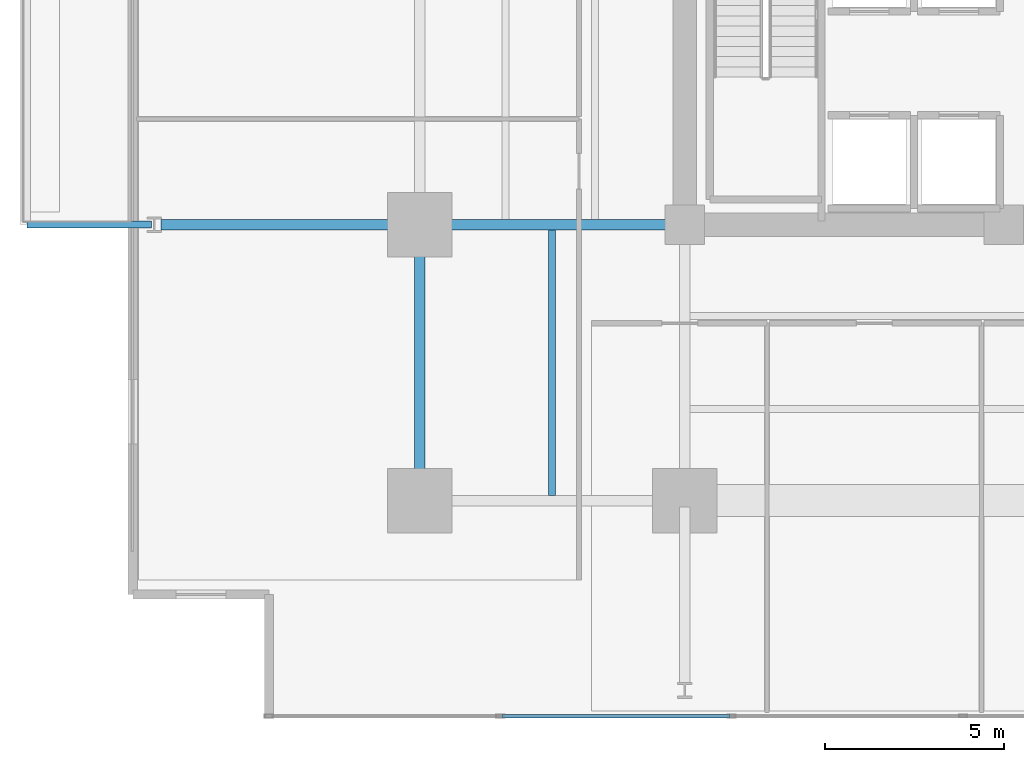
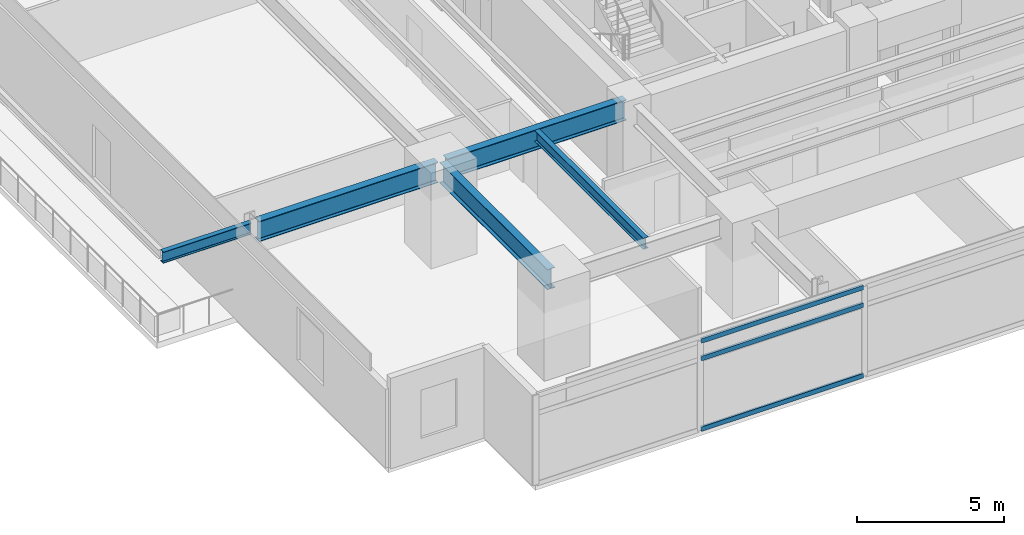
# One storey, part 3 of 22: 5 beams, 3 members, 1 element without a shape of its own.
"""IFC4 building model written with IfcOpenShell, lengths in metres."""

from ifc_helpers import new_model, si_unit, direction, frame, origin, origin_2d, place, context, subcontext, project, spatial, hollow_rectangle, i_section, extrude, material, material_profile, profile_set, type_object, element, aggregate, save


model = new_model("IFC4")

# Units and contexts
model_context = context("Model", 3, precision=1e-05, world=origin(), true_north=direction((0.0, 1.0)))
body_context = subcontext(model_context, "Body", "Model", "MODEL_VIEW")
ifc_project = project(units=[si_unit("LENGTHUNIT", "METRE"), si_unit("AREAUNIT", "SQUARE_METRE"), si_unit("VOLUMEUNIT", "CUBIC_METRE"), si_unit("PLANEANGLEUNIT", "RADIAN"), si_unit("MASSUNIT", "GRAM", prefix="KILO")], contexts=[model_context])

# Site, building, storey
site_placement = place(None, origin())
site = spatial("IfcSite", under=ifc_project, at=site_placement, CompositionType="ELEMENT")
building_placement = place(site_placement, origin())
building = spatial("IfcBuilding", under=site, at=building_placement, Name="Kovane Verandah Tower", CompositionType="ELEMENT")
storey_placement = place(building_placement, frame((0.0, 0.0, 99.60009765625)))
storey = spatial("IfcBuildingStorey", under=building, at=storey_placement, Name="L23", CompositionType="ELEMENT", Elevation=99.60009765625)

# Beams
ifc_material_1 = material(Name="Steel S355", Category="steel")
ifc_material_profile_1 = material_profile(ifc_material_1, i_section(OverallWidth=0.293701171875, OverallDepth=0.850830078125, WebThickness=0.01611328125, FlangeThickness=0.02685546875, FilletRadius=0.017822265625, at=origin_2d()), Name="UB838x292x226")
ifc_profile_set_1 = profile_set([ifc_material_profile_1], Name="Steel S355")
beam_type_1 = type_object("IfcBeamType", Name="BM-UB838x226", PredefinedType="BEAM", material=ifc_profile_set_1)
beam_1_placement = place(storey_placement, frame((21.60009765625, 10.97998046875, 3.33447265625), z_axis=(0.0, 1.0, 0.0), x_axis=(-1.0, 0.0, 0.0)))
element("IfcBeam", 1, at=beam_1_placement, inside=storey, type_object=beam_type_1, Name="L23 Primary Tower Girder G-RW1", PredefinedType="BEAM", context=body_context, shape_type="SweptSolid", body=[
    extrude(i_section(OverallWidth=0.293701171875, OverallDepth=0.850830078125, WebThickness=0.01611328125, FlangeThickness=0.02685546875, FilletRadius=0.017822265625, at=origin_2d()), origin(), (0.0, 0.0, 1.0), 7.340087890625),
])
for number, where, z_axis, x_axis, name in (
    (2, (28.820068359375, 18.5, 3.33447265625), (-1.0, 0.0, 0.0), (0.0, -1.0, 0.0), "L23 Primary Tower Girder G-W1"),
    (3, (21.419921875, 18.5, 3.33447265625), (-1.0, 0.0, 0.0), (0.0, -1.0, 0.0), "L23 Primary Tower Girder G-VW1"),
):
    element("IfcBeam", number, at=place(storey_placement, frame(where, z_axis=z_axis, x_axis=x_axis)), inside=storey, type_object=beam_type_1, Name=name, PredefinedType="BEAM", context=body_context, shape_type="SweptSolid", body=[
        extrude(i_section(OverallWidth=0.293701171875, OverallDepth=0.850830078125, WebThickness=0.01611328125, FlangeThickness=0.02685546875, FilletRadius=0.017822265625, at=origin_2d()), origin(), (0.0, 0.0, 1.0), 7.0400390625),
    ])

# Curtain wall, members
ifc_material_2 = material(Name="Champagne Anodised Aluminium Frame with Low-E Clear Laminated Glass", Category="aluminium")
curtain_wall_type = type_object("IfcCurtainWallType", Name="CW-SYS-02-LOW", PredefinedType="NOTDEFINED", material=ifc_material_2)
curtain_wall_placement = place(storey_placement, origin())
curtain_wall = element("IfcCurtainWall", 4, at=curtain_wall_placement, inside=storey, type_object=curtain_wall_type, Name="L23 S Unitised Curtain Wall", PredefinedType="NOTDEFINED")
ifc_material_3 = material(Name="Champagne Anodised Aluminium 6063-T6", Category="aluminium")
ifc_material_profile_2 = material_profile(ifc_material_3, hollow_rectangle(XDim=0.0849609375, YDim=0.18994140625, WallThickness=0.00390625, at=origin_2d()), Name="AL85x190x4")
ifc_profile_set_2 = profile_set([ifc_material_profile_2], Name="Champagne Anodised Aluminium 6063-T6")
member_type = type_object("IfcMemberType", Name="CW-TRN-85x190", PredefinedType="USERDEFINED", material=ifc_profile_set_2)
member_1_placement = place(storey_placement, frame((23.908203125, 4.781005859375, 0.0498046875), z_axis=(1.0, 0.0, 0.0), x_axis=(0.0, 1.0, 0.0)))
member_1 = element("IfcMember", 5, at=member_1_placement, type_object=member_type, Name="L23 S Unitised Curtain Wall Transom TB Bay 2", ObjectType="TRANSOM", PredefinedType="USERDEFINED", context=body_context, shape_type="SweptSolid", body=[
    extrude(hollow_rectangle(XDim=0.0849609375, YDim=0.18994140625, WallThickness=0.00390625, at=origin_2d()), origin(), (0.0, 0.0, 1.0), 6.356689453125),
])
member_2_placement = place(storey_placement, frame((23.908203125, 4.781005859375, 2.97998046875), z_axis=(1.0, 0.0, 0.0), x_axis=(0.0, 1.0, 0.0)))
member_2 = element("IfcMember", 6, at=member_2_placement, type_object=member_type, Name="L23 S Unitised Curtain Wall Transom TM Bay 2", ObjectType="TRANSOM", PredefinedType="USERDEFINED", context=body_context, shape_type="SweptSolid", body=[
    extrude(hollow_rectangle(XDim=0.0849609375, YDim=0.18994140625, WallThickness=0.00390625, at=origin_2d()), origin(), (0.0, 0.0, 1.0), 6.356689453125),
])
member_3_placement = place(storey_placement, frame((23.908203125, 4.781005859375, 3.7099609375), z_axis=(1.0, 0.0, 0.0), x_axis=(0.0, 1.0, 0.0)))
member_3 = element("IfcMember", 7, at=member_3_placement, type_object=member_type, Name="L23 S Unitised Curtain Wall Transom TT Bay 2", ObjectType="TRANSOM", PredefinedType="USERDEFINED", context=body_context, shape_type="SweptSolid", body=[
    extrude(hollow_rectangle(XDim=0.0849609375, YDim=0.18994140625, WallThickness=0.00390625, at=origin_2d()), origin(), (0.0, 0.0, 1.0), 6.356689453125),
])
aggregate(curtain_wall, [member_1, member_2, member_3])

# Beams
ifc_material_profile_3 = material_profile(ifc_material_1, i_section(OverallWidth=0.19287109375, OverallDepth=0.46728515625, WebThickness=0.011474609375, FlangeThickness=0.01953125, FilletRadius=0.01025390625, at=origin_2d()), Name="UB457x191x98")
ifc_profile_set_3 = profile_set([ifc_material_profile_3], Name="Steel S355")
beam_type_2 = type_object("IfcBeamType", Name="JST-UB457x98", PredefinedType="JOIST", material=ifc_profile_set_3)
beam_2_placement = place(storey_placement, frame((25.300048828125, 10.94482421875, 3.5263671875), z_axis=(0.0, 1.0, 0.0), x_axis=(-1.0, 0.0, 0.0)))
element("IfcBeam", 8, at=beam_2_placement, inside=storey, type_object=beam_type_2, Name="L23 Secondary Composite Joist J-SW1", PredefinedType="JOIST", context=body_context, shape_type="SweptSolid", body=[
    extrude(i_section(OverallWidth=0.19287109375, OverallDepth=0.46728515625, WebThickness=0.011474609375, FlangeThickness=0.01953125, FilletRadius=0.01025390625, at=origin_2d()), origin(), (0.0, 0.0, 1.0), 7.41015625),
])
beam_3_placement = place(storey_placement, frame((14.1201171875, 18.5, 3.5263671875), z_axis=(-1.0, 0.0, 0.0), x_axis=(0.0, -1.0, 0.0)))
element("IfcBeam", 9, at=beam_3_placement, inside=storey, type_object=beam_type_2, Name="L23 West Planter Girder 1", PredefinedType="JOIST", context=body_context, shape_type="SweptSolid", body=[
    extrude(i_section(OverallWidth=0.19287109375, OverallDepth=0.46728515625, WebThickness=0.011474609375, FlangeThickness=0.01953125, FilletRadius=0.01025390625, at=origin_2d()), origin(), (0.0, 0.0, 1.0), 3.46875),
])

save(model, "model.ifc")
